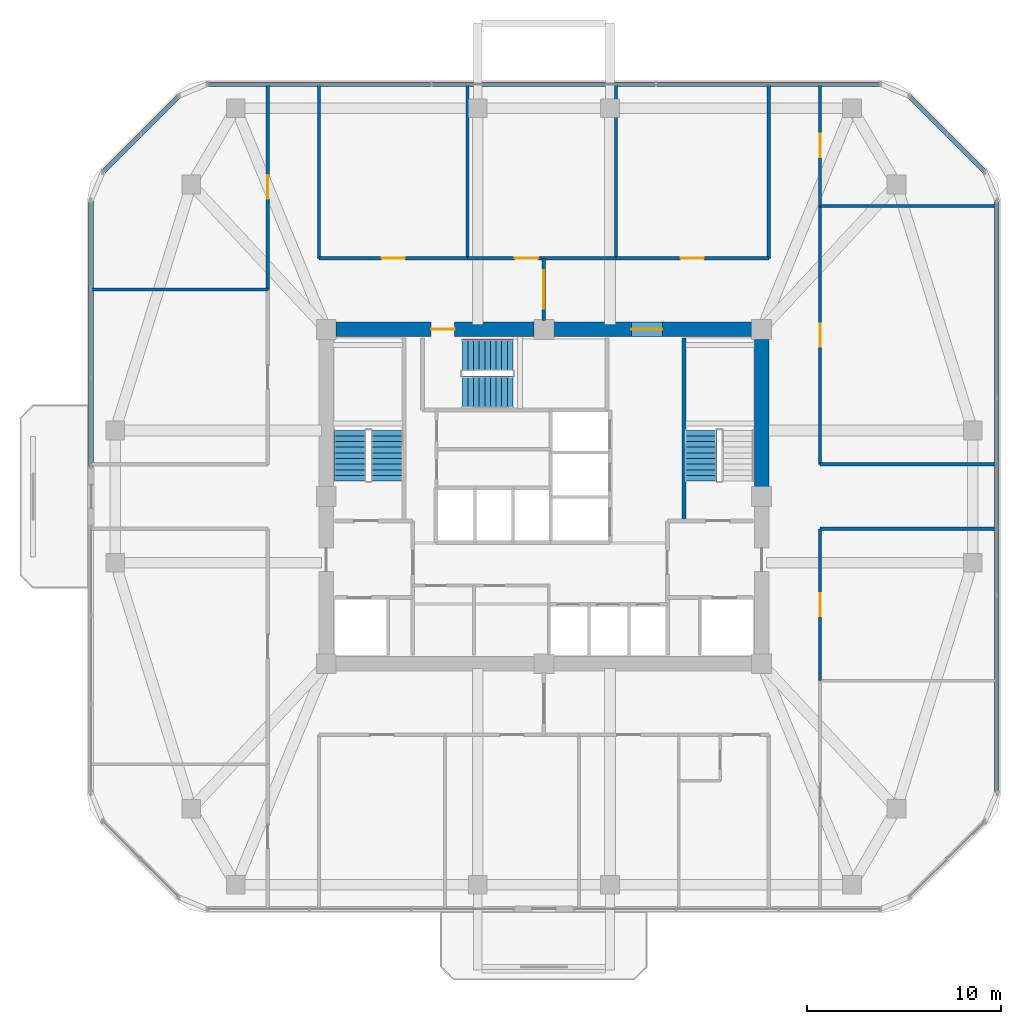
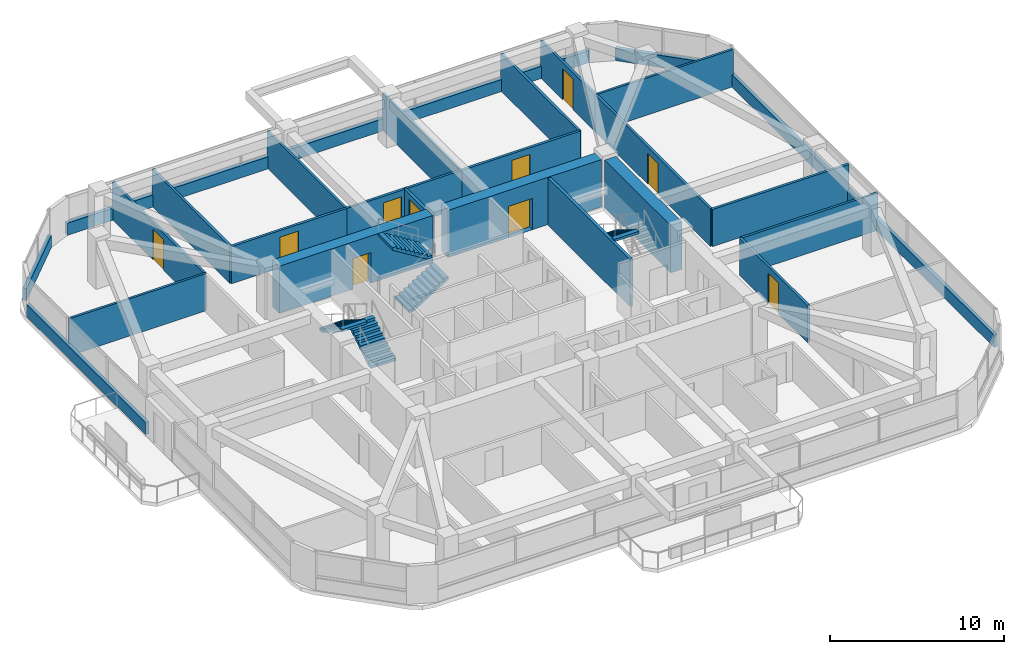
# One storey, part 9 of 12: 25 walls, 10 doors, 5 stair flights, 10 openings, 3 elements without a shape of their own.
"""IFC4 building model written with IfcOpenShell, lengths in metres."""

from ifc_helpers import new_model, si_unit, derived_unit, direction, frame, frame_2d, origin, place, context, subcontext, project, spatial, polyline, rectangle, outline, extrude, material, layer, layer_set, type_object, element, fill, aggregate, save


model = new_model("IFC4")

# Units and contexts
model_context = context("Model", 3, precision=1e-05, world=origin(), true_north=direction((0.0, 1.0)))
body_context = subcontext(model_context, "Body", "Model", "MODEL_VIEW")
ifc_project = project(units=[si_unit("LENGTHUNIT", "METRE"), si_unit("AREAUNIT", "SQUARE_METRE"), si_unit("VOLUMEUNIT", "CUBIC_METRE"), si_unit("PLANEANGLEUNIT", "RADIAN"), si_unit("MASSUNIT", "GRAM", prefix="KILO"), derived_unit("THERMALTRANSMITTANCEUNIT", [(si_unit("POWERUNIT", "WATT"), 1), (si_unit("LENGTHUNIT", "METRE"), -2), (si_unit("THERMODYNAMICTEMPERATUREUNIT", "KELVIN"), -1)])], contexts=[model_context])

# Site, building, storey
site_placement = place(None, origin())
site = spatial("IfcSite", under=ifc_project, at=site_placement, CompositionType="ELEMENT")
building_placement = place(site_placement, origin())
building = spatial("IfcBuilding", under=site, at=building_placement, Name="Koralith Skygarden Medical Center", CompositionType="ELEMENT")
storey_placement = place(building_placement, frame((0.0, 0.0, 163.6201171875)))
storey = spatial("IfcBuildingStorey", under=building, at=storey_placement, Name="L42", CompositionType="ELEMENT", Elevation=163.6201171875)

# Walls
ifc_material_1 = material(Name="Gypsum Board Partition")
ifc_layer_1 = layer(ifc_material_1, 0.14990234375)
ifc_layer_set_1 = layer_set([ifc_layer_1], Name="Gypsum Board Partition")
wall_type_1 = type_object("IfcWallType", Name="Clinical Acoustic Partition 150", PredefinedType="PARTITIONING", material=ifc_layer_set_1)
for number, where, z_axis, x_axis, name in (
    (1, (33.070068359375, 38.159912109375, 0.0), (0.0, 0.0, 1.0), (0.0, 1.0, 0.0), "L42 Clinical Acoustic Partition 150 W-PART-L42-N-01"),
    (2, (40.698974609375, 38.159912109375, 0.0), (0.0, 0.0, 1.0), (0.0, 1.0, 0.0), "L42 Clinical Acoustic Partition 150 W-PART-L42-N-02"),
):
    element("IfcWall", number, at=place(storey_placement, frame(where, z_axis=z_axis, x_axis=x_axis)), inside=storey, type_object=wall_type_1, Name=name, PredefinedType="PARTITIONING", context=body_context, shape_type="SweptSolid", body=[
        extrude(rectangle(XDim=8.940185546875, YDim=0.14990234375, at=frame_2d((4.47021484375, 0.0))), origin(), (0.0, 0.0, 1.0), 2.60986328125),
    ])
for number, where, z_axis, x_axis, name in (
    (3, (22.7900390625, 36.548095703125, 0.0), (0.0, 0.0, 1.0), (-1.0, 0.0, 0.0), "L42 Clinical Acoustic Partition 150 W-PART-L42-WN-01"),
    (4, (51.2099609375, 40.846923828125, 0.0), (0.0, 0.0, 1.0), (1.0, 0.0, 0.0), "L42 Clinical Acoustic Partition 150 W-PART-L42-EN-01"),
):
    element("IfcWall", number, at=place(storey_placement, frame(where, z_axis=z_axis, x_axis=x_axis)), inside=storey, type_object=wall_type_1, Name=name, PredefinedType="PARTITIONING", context=body_context, shape_type="SweptSolid", body=[
        extrude(rectangle(XDim=9.073974609375, YDim=0.14990234375, at=frame_2d((4.537109375, 0.0))), origin(), (0.0, 0.0, 1.0), 2.60986328125),
    ])
ifc_layer_2 = layer(ifc_material_1, 0.1650390625)
ifc_layer_set_2 = layer_set([ifc_layer_2], Name="Gypsum Board Partition")
wall_type_2 = type_object("IfcWallType", Name="Clinical Corridor Partition 165", PredefinedType="PARTITIONING", material=ifc_layer_set_2)
for number, where, z_axis, x_axis, name in (
    (5, (25.429931640625, 38.159912109375, 0.0), (0.0, 0.0, 1.0), (0.0, 1.0, 0.0), "L42 Clinical Corridor Partition 165 W-HCOR-L42-NW"),
    (6, (48.570068359375, 38.159912109375, 0.0), (0.0, 0.0, 1.0), (0.0, 1.0, 0.0), "L42 Clinical Corridor Partition 165 W-HCOR-L42-NE"),
):
    element("IfcWall", number, at=place(storey_placement, frame(where, z_axis=z_axis, x_axis=x_axis)), inside=storey, type_object=wall_type_2, Name=name, PredefinedType="PARTITIONING", context=body_context, shape_type="SweptSolid", body=[
        extrude(rectangle(XDim=8.940185546875, YDim=0.1650390625, at=frame_2d((4.47021484375, 0.0))), origin(), (0.0, 0.0, 1.0), 2.60986328125),
    ])
for number, where, z_axis, x_axis, name in (
    (7, (51.2099609375, 24.239990234375, 0.0), (0.0, 0.0, 1.0), (1.0, 0.0, 0.0), "L42 Clinical Corridor Partition 165 W-HCOR-L42-EWS-E"),
    (8, (51.2099609375, 27.56005859375, 0.0), (0.0, 0.0, 1.0), (1.0, 0.0, 0.0), "L42 Clinical Corridor Partition 165 W-HCOR-L42-EWN-E"),
):
    element("IfcWall", number, at=place(storey_placement, frame(where, z_axis=z_axis, x_axis=x_axis)), inside=storey, type_object=wall_type_2, Name=name, PredefinedType="PARTITIONING", context=body_context, shape_type="SweptSolid", body=[
        extrude(rectangle(XDim=9.073974609375, YDim=0.1650390625, at=frame_2d((4.537109375, 0.0))), origin(), (0.0, 0.0, 1.0), 2.60986328125),
    ])

# Wall, opening, door
wall_1_placement = place(storey_placement, frame((25.429931640625, 38.159912109375, 0.0), z_axis=(0.0, 0.0, 1.0), x_axis=(1.0, 0.0, 0.0)))
wall_1 = element("IfcWall", 9, at=wall_1_placement, inside=storey, type_object=wall_type_2, Name="L42 Clinical Corridor Partition 165 W-CORR-L42-N-01", PredefinedType="PARTITIONING", context=body_context, shape_type="SweptSolid", body=[
    extrude(rectangle(XDim=7.64013671875, YDim=0.1650390625, at=frame_2d((3.820068359375, 0.0))), origin(), (0.0, 0.0, 1.0), 2.60986328125),
])
opening_1_placement = place(wall_1_placement, frame((3.219970703125, 0.0, 0.0)))
opening_1 = element("IfcOpeningElement", 10, at=opening_1_placement, cuts=wall_1, Name="Opening D-CLN", PredefinedType="OPENING", context=body_context, shape_type="SweptSolid", body=[
    extrude(rectangle(XDim=1.199951171875, YDim=2.14990234375, at=frame_2d((0.60009765625, 1.074951171875))), frame((0.0, 0.092529296875, 0.0), z_axis=(0.0, -1.0, 0.0), x_axis=(1.0, 0.0, 0.0)), (0.0, 0.0, 1.0), 0.18505859375),
])
ifc_material_2 = material(Name="Aluminium 6063-T6", Category="aluminium")
door_type_1 = type_object("IfcDoorType", Name="Clinical Corridor Door D-CLN 1200", OperationType="NOTDEFINED", PredefinedType="DOOR", material=ifc_material_2)
door_1_placement = place(opening_1_placement, origin())
door_1 = element("IfcDoor", 11, at=door_1_placement, inside=storey, type_object=door_type_1, Name="L42 Maternal Fetal Family Lounge 01 Door", OperationType="SINGLE_SWING_RIGHT", OverallHeight=2.14990234375, OverallWidth=1.199951171875, PredefinedType="DOOR", context=body_context, shape_type="SweptSolid", body=[
    extrude(rectangle(XDim=1.199951171875, YDim=2.14990234375, at=frame_2d((0.60009765625, 1.074951171875))), frame((0.0, 0.02490234375, 0.0), z_axis=(0.0, -1.0, 0.0), x_axis=(1.0, 0.0, 0.0)), (0.0, 0.0, 1.0), 0.050048828125),
])
fill(opening_1, door_1)

wall_2_placement = place(storey_placement, frame((33.070068359375, 38.159912109375, 0.0), z_axis=(0.0, 0.0, 1.0), x_axis=(1.0, 0.0, 0.0)))
wall_2 = element("IfcWall", 12, at=wall_2_placement, inside=storey, type_object=wall_type_2, Name="L42 Clinical Corridor Partition 165 W-CORR-L42-N-02", PredefinedType="PARTITIONING", context=body_context, shape_type="SweptSolid", body=[
    extrude(rectangle(XDim=7.62890625, YDim=0.1650390625, at=frame_2d((3.814453125, 0.0))), origin(), (0.0, 0.0, 1.0), 2.60986328125),
])
opening_2_placement = place(wall_2_placement, frame((2.430908203125, 0.0, 0.0)))
opening_2 = element("IfcOpeningElement", 13, at=opening_2_placement, cuts=wall_2, Name="Opening D-CLN", PredefinedType="OPENING", context=body_context, shape_type="SweptSolid", body=[
    extrude(rectangle(XDim=1.199951171875, YDim=2.14990234375, at=frame_2d((0.60009765625, 1.074951171875))), frame((0.0, 0.092529296875, 0.0), z_axis=(0.0, -1.0, 0.0), x_axis=(1.0, 0.0, 0.0)), (0.0, 0.0, 1.0), 0.18505859375),
])
door_2_placement = place(opening_2_placement, origin())
door_2 = element("IfcDoor", 14, at=door_2_placement, inside=storey, type_object=door_type_1, Name="L42 Perinatal Ultrasound Exam Room 02 Door", OperationType="SINGLE_SWING_LEFT", OverallHeight=2.14990234375, OverallWidth=1.199951171875, PredefinedType="DOOR", context=body_context, shape_type="SweptSolid", body=[
    extrude(rectangle(XDim=1.199951171875, YDim=2.14990234375, at=frame_2d((0.60009765625, 1.074951171875))), frame((0.0, 0.02490234375, 0.0), z_axis=(0.0, -1.0, 0.0), x_axis=(1.0, 0.0, 0.0)), (0.0, 0.0, 1.0), 0.050048828125),
])
fill(opening_2, door_2)

wall_3_placement = place(storey_placement, frame((40.698974609375, 38.159912109375, 0.0), z_axis=(0.0, 0.0, 1.0), x_axis=(1.0, 0.0, 0.0)))
wall_3 = element("IfcWall", 15, at=wall_3_placement, inside=storey, type_object=wall_type_2, Name="L42 Clinical Corridor Partition 165 W-CORR-L42-N-03", PredefinedType="PARTITIONING", context=body_context, shape_type="SweptSolid", body=[
    extrude(rectangle(XDim=7.87109375, YDim=0.1650390625, at=frame_2d((3.935546875, 0.0))), origin(), (0.0, 0.0, 1.0), 2.60986328125),
])
opening_3_placement = place(wall_3_placement, frame((3.3359375, 0.0, 0.0)))
opening_3 = element("IfcOpeningElement", 16, at=opening_3_placement, cuts=wall_3, Name="Opening D-CLN", PredefinedType="OPENING", context=body_context, shape_type="SweptSolid", body=[
    extrude(rectangle(XDim=1.199951171875, YDim=2.14990234375, at=frame_2d((0.60009765625, 1.074951171875))), frame((0.0, 0.092529296875, 0.0), z_axis=(0.0, -1.0, 0.0), x_axis=(1.0, 0.0, 0.0)), (0.0, 0.0, 1.0), 0.18505859375),
])
door_3_placement = place(opening_3_placement, origin())
door_3 = element("IfcDoor", 17, at=door_3_placement, inside=storey, type_object=door_type_1, Name="L42 Genetic Counseling Office 03 Door", OperationType="SINGLE_SWING_RIGHT", OverallHeight=2.14990234375, OverallWidth=1.199951171875, PredefinedType="DOOR", context=body_context, shape_type="SweptSolid", body=[
    extrude(rectangle(XDim=1.199951171875, YDim=2.14990234375, at=frame_2d((0.60009765625, 1.074951171875))), frame((0.0, 0.02490234375, 0.0), z_axis=(0.0, -1.0, 0.0), x_axis=(1.0, 0.0, 0.0)), (0.0, 0.0, 1.0), 0.050048828125),
])
fill(opening_3, door_3)

wall_4_placement = place(storey_placement, frame((22.7900390625, 36.548095703125, 0.0), z_axis=(0.0, 0.0, 1.0), x_axis=(0.0, 1.0, 0.0)))
wall_4 = element("IfcWall", 18, at=wall_4_placement, inside=storey, type_object=wall_type_2, Name="L42 Clinical Corridor Partition 165 W-CORR-L42-WN-02", PredefinedType="PARTITIONING", context=body_context, shape_type="SweptSolid", body=[
    extrude(rectangle(XDim=10.552001953125, YDim=0.1650390625, at=frame_2d((5.27587890625, 0.0))), origin(), (0.0, 0.0, 1.0), 2.60986328125),
])
opening_4_placement = place(wall_4_placement, frame((4.676025390625, 0.0, 0.0)))
opening_4 = element("IfcOpeningElement", 19, at=opening_4_placement, cuts=wall_4, Name="Opening D-CLN", PredefinedType="OPENING", context=body_context, shape_type="SweptSolid", body=[
    extrude(rectangle(XDim=1.199951171875, YDim=2.14990234375, at=frame_2d((0.60009765625, 1.074951171875))), frame((0.0, 0.092529296875, 0.0), z_axis=(0.0, -1.0, 0.0), x_axis=(1.0, 0.0, 0.0)), (0.0, 0.0, 1.0), 0.18505859375),
])
door_4_placement = place(opening_4_placement, frame((1.199951171875, 0.0, 0.0), z_axis=(0.0, 0.0, 1.0), x_axis=(-1.0, 0.0, 0.0)))
door_4 = element("IfcDoor", 20, at=door_4_placement, inside=storey, type_object=door_type_1, Name="L42 Maternal Fetal Family Lounge 11 Door", OperationType="SINGLE_SWING_RIGHT", OverallHeight=2.14990234375, OverallWidth=1.199951171875, PredefinedType="DOOR", context=body_context, shape_type="SweptSolid", body=[
    extrude(rectangle(XDim=1.199951171875, YDim=2.14990234375, at=frame_2d((0.60009765625, 1.074951171875))), frame((0.0, 0.02490234375, 0.0), z_axis=(0.0, -1.0, 0.0), x_axis=(1.0, 0.0, 0.0)), (0.0, 0.0, 1.0), 0.050048828125),
])
fill(opening_4, door_4)

wall_5_placement = place(storey_placement, frame((51.2099609375, 16.424072265625, 0.0), z_axis=(0.0, 0.0, 1.0), x_axis=(0.0, 1.0, 0.0)))
wall_5 = element("IfcWall", 21, at=wall_5_placement, inside=storey, type_object=wall_type_2, Name="L42 Clinical Corridor Partition 165 W-CORR-L42-ES-02", PredefinedType="PARTITIONING", context=body_context, shape_type="SweptSolid", body=[
    extrude(rectangle(XDim=7.81591796875, YDim=0.1650390625, at=frame_2d((3.907958984375, 0.0))), origin(), (0.0, 0.0, 1.0), 2.60986328125),
])
opening_5_placement = place(wall_5_placement, frame((3.30810546875, 0.0, 0.0)))
opening_5 = element("IfcOpeningElement", 22, at=opening_5_placement, cuts=wall_5, Name="Opening D-CLN", PredefinedType="OPENING", context=body_context, shape_type="SweptSolid", body=[
    extrude(rectangle(XDim=1.199951171875, YDim=2.14990234375, at=frame_2d((0.60009765625, 1.074951171875))), frame((0.0, 0.092529296875, 0.0), z_axis=(0.0, -1.0, 0.0), x_axis=(1.0, 0.0, 0.0)), (0.0, 0.0, 1.0), 0.18505859375),
])
door_5_placement = place(opening_5_placement, origin())
door_5 = element("IfcDoor", 23, at=door_5_placement, inside=storey, type_object=door_type_1, Name="L42 Genetic Counseling Office 13 Door", OperationType="SINGLE_SWING_RIGHT", OverallHeight=2.14990234375, OverallWidth=1.199951171875, PredefinedType="DOOR", context=body_context, shape_type="SweptSolid", body=[
    extrude(rectangle(XDim=1.199951171875, YDim=2.14990234375, at=frame_2d((0.60009765625, 1.074951171875))), frame((0.0, 0.02490234375, 0.0), z_axis=(0.0, -1.0, 0.0), x_axis=(1.0, 0.0, 0.0)), (0.0, 0.0, 1.0), 0.050048828125),
])
fill(opening_5, door_5)

wall_6_placement = place(storey_placement, frame((51.2099609375, 27.56005859375, 0.0), z_axis=(0.0, 0.0, 1.0), x_axis=(0.0, 1.0, 0.0)))
wall_6 = element("IfcWall", 24, at=wall_6_placement, inside=storey, type_object=wall_type_2, Name="L42 Clinical Corridor Partition 165 W-CORR-L42-EN-01", PredefinedType="PARTITIONING", context=body_context, shape_type="SweptSolid", body=[
    extrude(rectangle(XDim=13.286865234375, YDim=0.1650390625, at=frame_2d((6.6435546875, 0.0))), origin(), (0.0, 0.0, 1.0), 2.60986328125),
])
opening_6_placement = place(wall_6_placement, frame((6.0439453125, 0.0, 0.0)))
opening_6 = element("IfcOpeningElement", 25, at=opening_6_placement, cuts=wall_6, Name="Opening D-CLN", PredefinedType="OPENING", context=body_context, shape_type="SweptSolid", body=[
    extrude(rectangle(XDim=1.199951171875, YDim=2.14990234375, at=frame_2d((0.60009765625, 1.074951171875))), frame((0.0, 0.092529296875, 0.0), z_axis=(0.0, -1.0, 0.0), x_axis=(1.0, 0.0, 0.0)), (0.0, 0.0, 1.0), 0.18505859375),
])
door_6_placement = place(opening_6_placement, origin())
door_6 = element("IfcDoor", 26, at=door_6_placement, inside=storey, type_object=door_type_1, Name="L42 Clean Nursery Supply Store 14 Door", OperationType="SINGLE_SWING_LEFT", OverallHeight=2.14990234375, OverallWidth=1.199951171875, PredefinedType="DOOR", context=body_context, shape_type="SweptSolid", body=[
    extrude(rectangle(XDim=1.199951171875, YDim=2.14990234375, at=frame_2d((0.60009765625, 1.074951171875))), frame((0.0, 0.02490234375, 0.0), z_axis=(0.0, -1.0, 0.0), x_axis=(1.0, 0.0, 0.0)), (0.0, 0.0, 1.0), 0.050048828125),
])
fill(opening_6, door_6)

wall_7_placement = place(storey_placement, frame((51.2099609375, 40.846923828125, 0.0), z_axis=(0.0, 0.0, 1.0), x_axis=(0.0, 1.0, 0.0)))
wall_7 = element("IfcWall", 27, at=wall_7_placement, inside=storey, type_object=wall_type_2, Name="L42 Clinical Corridor Partition 165 W-CORR-L42-EN-02", PredefinedType="PARTITIONING", context=body_context, shape_type="SweptSolid", body=[
    extrude(rectangle(XDim=6.253173828125, YDim=0.1650390625, at=frame_2d((3.12646484375, 0.0))), origin(), (0.0, 0.0, 1.0), 2.60986328125),
])
opening_7_placement = place(wall_7_placement, frame((2.52587890625, 0.0, 0.0)))
opening_7 = element("IfcOpeningElement", 28, at=opening_7_placement, cuts=wall_7, Name="Opening D-CLN", PredefinedType="OPENING", context=body_context, shape_type="SweptSolid", body=[
    extrude(rectangle(XDim=1.199951171875, YDim=2.14990234375, at=frame_2d((0.60009765625, 1.074951171875))), frame((0.0, 0.092529296875, 0.0), z_axis=(0.0, -1.0, 0.0), x_axis=(1.0, 0.0, 0.0)), (0.0, 0.0, 1.0), 0.18505859375),
])
door_7_placement = place(opening_7_placement, origin())
door_7 = element("IfcDoor", 29, at=door_7_placement, inside=storey, type_object=door_type_1, Name="L42 Maternal Fetal Family Lounge 15 Door", OperationType="SINGLE_SWING_RIGHT", OverallHeight=2.14990234375, OverallWidth=1.199951171875, PredefinedType="DOOR", context=body_context, shape_type="SweptSolid", body=[
    extrude(rectangle(XDim=1.199951171875, YDim=2.14990234375, at=frame_2d((0.60009765625, 1.074951171875))), frame((0.0, 0.02490234375, 0.0), z_axis=(0.0, -1.0, 0.0), x_axis=(1.0, 0.0, 0.0)), (0.0, 0.0, 1.0), 0.050048828125),
])
fill(opening_7, door_7)

ifc_layer_3 = layer(ifc_material_1, 0.179931640625)
ifc_layer_set_3 = layer_set([ifc_layer_3], Name="Gypsum Board Partition")
wall_type_3 = type_object("IfcWallType", Name="Group I-2 Smoke Barrier Wall 180", PredefinedType="PARTITIONING", material=ifc_layer_set_3)
wall_8_placement = place(storey_placement, frame((37.0, 34.949951171875, 0.0), z_axis=(0.0, 0.0, 1.0), x_axis=(0.0, 1.0, 0.0)))
wall_8 = element("IfcWall", 30, at=wall_8_placement, inside=storey, type_object=wall_type_3, Name="L42 Group I-2 Smoke Barrier Wall 180 W-SMK-L42-N", PredefinedType="PARTITIONING", context=body_context, shape_type="SweptSolid", body=[
    extrude(rectangle(XDim=3.2099609375, YDim=0.179931640625, at=frame_2d((1.60498046875, 0.0))), origin(), (0.0, 0.0, 1.0), 2.60986328125),
])
opening_8_placement = place(wall_8_placement, frame((0.60498046875, 0.0, 0.0)))
opening_8 = element("IfcOpeningElement", 31, at=opening_8_placement, cuts=wall_8, Name="Opening D-SMK", PredefinedType="OPENING", context=body_context, shape_type="SweptSolid", body=[
    extrude(rectangle(XDim=2.0, YDim=2.199951171875, at=frame_2d((1.0, 1.10009765625))), frame((0.0, 0.099853515625, 0.0), z_axis=(0.0, -1.0, 0.0), x_axis=(1.0, 0.0, 0.0)), (0.0, 0.0, 1.0), 0.199951171875),
])
ifc_material_3 = material(Name="Steel ASTM A500 Grade C", Category="steel")
door_type_2 = type_object("IfcDoorType", Name="Cross-Corridor Double Smoke Door FD60S 2000", OperationType="NOTDEFINED", PredefinedType="DOOR", material=ifc_material_3)
door_8_placement = place(opening_8_placement, origin())
door_8 = element("IfcDoor", 32, at=door_8_placement, inside=storey, type_object=door_type_2, Name="L42 N Smoke Compartment Cross-Corridor Door", OperationType="DOUBLE_DOOR_SINGLE_SWING", OverallHeight=2.199951171875, OverallWidth=2.0, PredefinedType="DOOR", context=body_context, shape_type="SweptSolid", body=[
    extrude(rectangle(XDim=2.0, YDim=2.199951171875, at=frame_2d((1.0, 1.10009765625))), frame((0.0, 0.02490234375, 0.0), z_axis=(0.0, -1.0, 0.0), x_axis=(1.0, 0.0, 0.0)), (0.0, 0.0, 1.0), 0.050048828125),
])
fill(opening_8, door_8)

# Walls
ifc_material_4 = material(Name="Warm Oolitic Limestone Cladding", Category="masonry")
ifc_layer_4 = layer(ifc_material_4, 0.239990234375)
ifc_layer_set_4 = layer_set([ifc_layer_4], Name="Warm Oolitic Limestone Cladding")
wall_type_4 = type_object("IfcWallType", Name="Limestone Spandrel Sill Backup Wall 240", PredefinedType="SOLIDWALL", material=ifc_layer_set_4)
wall_9_placement = place(storey_placement, frame((60.303955078125, 10.655029296875, 0.0), z_axis=(0.0, 0.0, 1.0), x_axis=(0.0, 1.0, 0.0)))
element("IfcWall", 33, at=wall_9_placement, inside=storey, type_object=wall_type_4, Name="L42 Sill Spandrel E", PredefinedType="SOLIDWALL", context=body_context, shape_type="SweptSolid", body=[
    extrude(rectangle(XDim=30.489990234375, YDim=0.239990234375, at=frame_2d((15.2451171875, 0.0))), origin(), (0.0, 0.0, 1.0), 0.849853515625),
])
wall_10_placement = place(storey_placement, frame((59.702880859375, 42.595947265625, 0.0), z_axis=(0.0, 0.0, 1.0), x_axis=(-0.707084777957, 0.707128783731, 0.0)))
element("IfcWall", 34, at=wall_10_placement, inside=storey, type_object=wall_type_4, Name="L42 Sill Spandrel NE", PredefinedType="SOLIDWALL", context=body_context, shape_type="SweptSolid", body=[
    extrude(rectangle(XDim=5.5478515625, YDim=0.239990234375, at=frame_2d((2.77392578125, 0.0))), origin(), (0.0, 0.0, 1.0), 0.849853515625),
])
wall_11_placement = place(storey_placement, frame((54.3291015625, 47.1201171875, 0.0), z_axis=(0.0, 0.0, 1.0), x_axis=(-1.0, 0.0, 0.0)))
element("IfcWall", 35, at=wall_11_placement, inside=storey, type_object=wall_type_4, Name="L42 Sill Spandrel N", PredefinedType="SOLIDWALL", context=body_context, shape_type="SweptSolid", body=[
    extrude(rectangle(XDim=34.658203125, YDim=0.239990234375, at=frame_2d((17.3291015625, 0.0))), origin(), (0.0, 0.0, 1.0), 0.849853515625),
])
wall_12_placement = place(storey_placement, frame((18.219970703125, 46.51904296875, 0.0), z_axis=(0.0, 0.0, 1.0), x_axis=(-0.707084777957, -0.707128783731, 0.0)))
element("IfcWall", 36, at=wall_12_placement, inside=storey, type_object=wall_type_4, Name="L42 Sill Spandrel NW", PredefinedType="SOLIDWALL", context=body_context, shape_type="SweptSolid", body=[
    extrude(rectangle(XDim=5.5478515625, YDim=0.239990234375, at=frame_2d((2.77392578125, 0.0))), origin(), (0.0, 0.0, 1.0), 0.849853515625),
])
wall_13_placement = place(storey_placement, frame((13.696044921875, 41.14501953125, 0.0), z_axis=(0.0, 0.0, 1.0), x_axis=(0.0, -1.0, 0.0)))
element("IfcWall", 37, at=wall_13_placement, inside=storey, type_object=wall_type_4, Name="L42 Sill Spandrel W-L", PredefinedType="SOLIDWALL", context=body_context, shape_type="SweptSolid", body=[
    extrude(rectangle(XDim=13.705078125, YDim=0.239990234375, at=frame_2d((6.8525390625, 0.0))), origin(), (0.0, 0.0, 1.0), 0.849853515625),
])
ifc_material_5 = material(Name="Concrete C70/85", Category="concrete")
ifc_layer_5 = layer(ifc_material_5, 0.75)
ifc_layer_set_5 = layer_set([ifc_layer_5], Name="Concrete C70/85")
wall_type_5 = type_object("IfcWallType", Name="Mid Core Shear Wall 750", PredefinedType="SHEAR", material=ifc_layer_set_5)
wall_14_placement = place(storey_placement, frame((48.199951171875, 26.405029296875, 0.0), z_axis=(0.0, 0.0, 1.0), x_axis=(0.0, 1.0, 0.0)))
element("IfcWall", 38, at=wall_14_placement, inside=storey, type_object=wall_type_5, Name="L42 Core Shear Wall Segment 4", PredefinedType="SHEAR", context=body_context, shape_type="SweptSolid", body=[
    extrude(rectangle(XDim=7.590087890625, YDim=0.75, at=frame_2d((3.794921875, 0.0))), origin(), (0.0, 0.0, 1.0), 3.31982421875),
])

# Wall, opening, door
wall_15_placement = place(storey_placement, frame((47.695068359375, 34.5, 0.0), z_axis=(0.0, 0.0, 1.0), x_axis=(-1.0, 0.0, 0.0)))
wall_15 = element("IfcWall", 39, at=wall_15_placement, inside=storey, type_object=wall_type_5, Name="L42 Core Shear Wall Segment 5", PredefinedType="SHEAR", context=body_context, shape_type="SweptSolid", body=[
    extrude(rectangle(XDim=10.190185546875, YDim=0.75, at=frame_2d((5.09521484375, 0.0))), origin(), (0.0, 0.0, 1.0), 3.31982421875),
])
opening_9_placement = place(wall_15_placement, frame((4.594970703125, 0.0, 0.0)))
opening_9 = element("IfcOpeningElement", 40, at=opening_9_placement, cuts=wall_15, Name="Opening D-DBL", PredefinedType="OPENING", context=body_context, shape_type="SweptSolid", body=[
    extrude(rectangle(XDim=1.60009765625, YDim=2.199951171875, at=frame_2d((0.800048828125, 1.10009765625))), frame((0.0, 0.385009765625, 0.0), z_axis=(0.0, -1.0, 0.0), x_axis=(1.0, 0.0, 0.0)), (0.0, 0.0, 1.0), 0.77001953125),
])
door_type_3 = type_object("IfcDoorType", Name="Double Clinical Suite Door D-DBL 1600", OperationType="NOTDEFINED", PredefinedType="DOOR", material=ifc_material_2)
door_9_placement = place(opening_9_placement, frame((1.60009765625, 0.0, 0.0), z_axis=(0.0, 0.0, 1.0), x_axis=(-1.0, 0.0, 0.0)))
door_9 = element("IfcDoor", 41, at=door_9_placement, inside=storey, type_object=door_type_3, Name="L42 North-East Corridor to Elevator Lobby Door", OperationType="DOUBLE_DOOR_SINGLE_SWING", OverallHeight=2.199951171875, OverallWidth=1.60009765625, PredefinedType="DOOR", context=body_context, shape_type="SweptSolid", body=[
    extrude(rectangle(XDim=1.60009765625, YDim=2.199951171875, at=frame_2d((0.800048828125, 1.10009765625))), frame((0.0, 0.02490234375, 0.0), z_axis=(0.0, -1.0, 0.0), x_axis=(1.0, 0.0, 0.0)), (0.0, 0.0, 1.0), 0.050048828125),
])
fill(opening_9, door_9)

wall_16_placement = place(storey_placement, frame((36.4951171875, 34.5, 0.0), z_axis=(0.0, 0.0, 1.0), x_axis=(-1.0, 0.0, 0.0)))
wall_16 = element("IfcWall", 42, at=wall_16_placement, inside=storey, type_object=wall_type_5, Name="L42 Core Shear Wall Segment 6", PredefinedType="SHEAR", context=body_context, shape_type="SweptSolid", body=[
    extrude(rectangle(XDim=10.190185546875, YDim=0.75, at=frame_2d((5.09521484375, 0.0))), origin(), (0.0, 0.0, 1.0), 3.31982421875),
])
opening_10_placement = place(wall_16_placement, frame((4.094970703125, 0.0, 0.0)))
opening_10 = element("IfcOpeningElement", 43, at=opening_10_placement, cuts=wall_16, Name="Opening D-ST60", PredefinedType="OPENING", context=body_context, shape_type="SweptSolid", body=[
    extrude(rectangle(XDim=1.199951171875, YDim=2.14990234375, at=frame_2d((0.60009765625, 1.074951171875))), frame((0.0, 0.385009765625, 0.0), z_axis=(0.0, -1.0, 0.0), x_axis=(1.0, 0.0, 0.0)), (0.0, 0.0, 1.0), 0.77001953125),
])
door_type_4 = type_object("IfcDoorType", Name="Smokeproof Stair Fire Door FD60S 1200", OperationType="NOTDEFINED", PredefinedType="DOOR", material=ifc_material_3)
door_10_placement = place(opening_10_placement, frame((1.199951171875, 0.0, 0.0), z_axis=(0.0, 0.0, 1.0), x_axis=(-1.0, 0.0, 0.0)))
door_10 = element("IfcDoor", 44, at=door_10_placement, inside=storey, type_object=door_type_4, Name="L42 Exit Stair ST3 Fire Door", OperationType="SINGLE_SWING_LEFT", OverallHeight=2.14990234375, OverallWidth=1.199951171875, PredefinedType="DOOR", context=body_context, shape_type="SweptSolid", body=[
    extrude(rectangle(XDim=1.199951171875, YDim=2.14990234375, at=frame_2d((0.60009765625, 1.074951171875))), frame((0.0, 0.02490234375, 0.0), z_axis=(0.0, -1.0, 0.0), x_axis=(1.0, 0.0, 0.0)), (0.0, 0.0, 1.0), 0.050048828125),
])
fill(opening_10, door_10)

# Wall
ifc_material_6 = material(Name="Concrete C45/55", Category="concrete")
ifc_layer_6 = layer(ifc_material_6, 0.199951171875)
ifc_layer_set_6 = layer_set([ifc_layer_6], Name="Concrete C45/55")
wall_type_6 = type_object("IfcWallType", Name="Structural Stair Shaft Wall 200", PredefinedType="SHEAR", material=ifc_layer_set_6)
wall_17_placement = place(storey_placement, frame((44.199951171875, 24.64990234375, 0.0), z_axis=(0.0, 0.0, 1.0), x_axis=(0.0, 1.0, 0.0)))
element("IfcWall", 45, at=wall_17_placement, inside=storey, type_object=wall_type_6, Name="L42 Structural Stair Shaft Wall 200 W-CORE-L42-ST2-W", PredefinedType="SHEAR", context=body_context, shape_type="SweptSolid", body=[
    extrude(rectangle(XDim=9.400146484375, YDim=0.199951171875, at=frame_2d((4.7001953125, 0.0))), origin(), (0.0, 0.0, 1.0), 3.31982421875),
])

# Stair, stair flights
stair_type = type_object("IfcStairType", Name="Core Exit Dogleg Concrete Stair", PredefinedType="HALF_TURN_STAIR", material=ifc_material_6)
stair_1_placement = place(storey_placement, origin())
stair_1 = element("IfcStair", 46, at=stair_1_placement, inside=storey, type_object=stair_type, Name="L42 Smokeproof Exit Stair ST1", PredefinedType="HALF_TURN_STAIR")
stair_flight_type = type_object("IfcStairFlightType", Name="Core Exit Concrete Stair Flight 1650", PredefinedType="STRAIGHT", material=ifc_material_6)
stair_flight_1_placement = place(storey_placement, frame((28.925048828125, 26.699951171875, 0.0), z_axis=(0.0, 0.0, 1.0), x_axis=(0.0, 1.0, 0.0)))
stair_flight_1 = element("IfcStairFlight", 47, at=stair_flight_1_placement, type_object=stair_flight_type, Name="ST1 flight 1", NumberOfRisers=10, NumberOfTreads=9, PredefinedType="STRAIGHT", RiserHeight=0.18, TreadLength=0.29, context=body_context, shape_type="SweptSolid", body=[
    extrude(outline(polyline([(0.0, 0.0), (0.0, 0.179931640625), (0.2900390625, 0.179931640625), (0.2900390625, 0.360107421875), (0.580078125, 0.360107421875), (0.580078125, 0.5400390625), (0.8701171875, 0.5400390625), (0.8701171875, 0.719970703125), (1.159912109375, 0.719970703125), (1.159912109375, 0.89990234375), (1.449951171875, 0.89990234375), (1.449951171875, 1.080078125), (1.739990234375, 1.080078125), (1.739990234375, 1.260009765625), (2.030029296875, 1.260009765625), (2.030029296875, 1.43994140625), (2.320068359375, 1.43994140625), (2.320068359375, 1.6201171875), (2.610107421875, 1.6201171875), (2.610107421875, 1.800048828125), (2.610107421875, 1.443603515625), (0.2841796875, 0.0), (0.0, 0.0)])), frame((0.0, 0.824951171875, 0.0), z_axis=(0.0, -1.0, 0.0), x_axis=(1.0, 0.0, 0.0)), (0.0, 0.0, 1.0), 1.64990234375),
])
stair_flight_2_placement = place(storey_placement, frame((27.02490234375, 29.31005859375, 1.7998046875), z_axis=(0.0, 0.0, 1.0), x_axis=(0.0, -1.0, 0.0)))
stair_flight_2 = element("IfcStairFlight", 48, at=stair_flight_2_placement, type_object=stair_flight_type, Name="ST1 flight 2", NumberOfRisers=10, NumberOfTreads=9, PredefinedType="STRAIGHT", RiserHeight=0.18, TreadLength=0.29, context=body_context, shape_type="SweptSolid", body=[
    extrude(outline(polyline([(0.0, 0.0), (0.0, 0.179931640625), (0.2900390625, 0.179931640625), (0.2900390625, 0.360107421875), (0.580078125, 0.360107421875), (0.580078125, 0.5400390625), (0.8701171875, 0.5400390625), (0.8701171875, 0.719970703125), (1.159912109375, 0.719970703125), (1.159912109375, 0.89990234375), (1.449951171875, 0.89990234375), (1.449951171875, 1.080078125), (1.739990234375, 1.080078125), (1.739990234375, 1.260009765625), (2.030029296875, 1.260009765625), (2.030029296875, 1.43994140625), (2.320068359375, 1.43994140625), (2.320068359375, 1.6201171875), (2.610107421875, 1.6201171875), (2.610107421875, 1.800048828125), (2.610107421875, 1.443603515625), (0.2841796875, 0.0), (0.0, 0.0)])), frame((0.0, 0.824951171875, 0.0), z_axis=(0.0, -1.0, 0.0), x_axis=(1.0, 0.0, 0.0)), (0.0, 0.0, 1.0), 1.64990234375),
])
aggregate(stair_1, [stair_flight_1, stair_flight_2])

# Stair, stair flight
stair_2_placement = place(storey_placement, origin())
stair_2 = element("IfcStair", 49, at=stair_2_placement, inside=storey, type_object=stair_type, Name="L42 Smokeproof Exit Stair ST2", PredefinedType="HALF_TURN_STAIR")
stair_flight_3_placement = place(storey_placement, frame((45.074951171875, 29.31005859375, 1.7998046875), z_axis=(0.0, 0.0, 1.0), x_axis=(0.0, -1.0, 0.0)))
stair_flight_3 = element("IfcStairFlight", 50, at=stair_flight_3_placement, type_object=stair_flight_type, Name="ST2 flight 2", NumberOfRisers=10, NumberOfTreads=9, PredefinedType="STRAIGHT", RiserHeight=0.18, TreadLength=0.29, context=body_context, shape_type="SweptSolid", body=[
    extrude(outline(polyline([(0.0, 0.0), (0.0, 0.179931640625), (0.2900390625, 0.179931640625), (0.2900390625, 0.360107421875), (0.580078125, 0.360107421875), (0.580078125, 0.5400390625), (0.8701171875, 0.5400390625), (0.8701171875, 0.719970703125), (1.159912109375, 0.719970703125), (1.159912109375, 0.89990234375), (1.449951171875, 0.89990234375), (1.449951171875, 1.080078125), (1.739990234375, 1.080078125), (1.739990234375, 1.260009765625), (2.030029296875, 1.260009765625), (2.030029296875, 1.43994140625), (2.320068359375, 1.43994140625), (2.320068359375, 1.6201171875), (2.610107421875, 1.6201171875), (2.610107421875, 1.800048828125), (2.610107421875, 1.443603515625), (0.2841796875, 0.0), (0.0, 0.0)])), frame((0.0, 0.824951171875, 0.0), z_axis=(0.0, -1.0, 0.0), x_axis=(1.0, 0.0, 0.0)), (0.0, 0.0, 1.0), 1.64990234375),
])
aggregate(stair_2, [stair_flight_3])

# Stair, stair flights
stair_3_placement = place(storey_placement, origin())
stair_3 = element("IfcStair", 51, at=stair_3_placement, inside=storey, type_object=stair_type, Name="L42 Smokeproof Exit Stair ST3", PredefinedType="HALF_TURN_STAIR")
stair_flight_4_placement = place(storey_placement, frame((32.800048828125, 31.27490234375, 0.0), z_axis=(0.0, 0.0, 1.0), x_axis=(1.0, 0.0, 0.0)))
stair_flight_4 = element("IfcStairFlight", 52, at=stair_flight_4_placement, type_object=stair_flight_type, Name="ST3 flight 1", NumberOfRisers=10, NumberOfTreads=9, PredefinedType="STRAIGHT", RiserHeight=0.18, TreadLength=0.29, context=body_context, shape_type="SweptSolid", body=[
    extrude(outline(polyline([(0.0, 0.0), (0.0, 0.179931640625), (0.2900390625, 0.179931640625), (0.2900390625, 0.360107421875), (0.580078125, 0.360107421875), (0.580078125, 0.5400390625), (0.8701171875, 0.5400390625), (0.8701171875, 0.719970703125), (1.159912109375, 0.719970703125), (1.159912109375, 0.89990234375), (1.449951171875, 0.89990234375), (1.449951171875, 1.080078125), (1.739990234375, 1.080078125), (1.739990234375, 1.260009765625), (2.030029296875, 1.260009765625), (2.030029296875, 1.43994140625), (2.320068359375, 1.43994140625), (2.320068359375, 1.6201171875), (2.610107421875, 1.6201171875), (2.610107421875, 1.800048828125), (2.610107421875, 1.443603515625), (0.2841796875, 0.0), (0.0, 0.0)])), frame((0.0, 0.824951171875, 0.0), z_axis=(0.0, -1.0, 0.0), x_axis=(1.0, 0.0, 0.0)), (0.0, 0.0, 1.0), 1.64990234375),
])
stair_flight_5_placement = place(storey_placement, frame((35.409912109375, 33.175048828125, 1.7998046875), z_axis=(0.0, 0.0, 1.0), x_axis=(-1.0, 0.0, 0.0)))
stair_flight_5 = element("IfcStairFlight", 53, at=stair_flight_5_placement, type_object=stair_flight_type, Name="ST3 flight 2", NumberOfRisers=10, NumberOfTreads=9, PredefinedType="STRAIGHT", RiserHeight=0.18, TreadLength=0.29, context=body_context, shape_type="SweptSolid", body=[
    extrude(outline(polyline([(0.0, 0.0), (0.0, 0.179931640625), (0.2900390625, 0.179931640625), (0.2900390625, 0.360107421875), (0.580078125, 0.360107421875), (0.580078125, 0.5400390625), (0.8701171875, 0.5400390625), (0.8701171875, 0.719970703125), (1.159912109375, 0.719970703125), (1.159912109375, 0.89990234375), (1.449951171875, 0.89990234375), (1.449951171875, 1.080078125), (1.739990234375, 1.080078125), (1.739990234375, 1.260009765625), (2.030029296875, 1.260009765625), (2.030029296875, 1.43994140625), (2.320068359375, 1.43994140625), (2.320068359375, 1.6201171875), (2.610107421875, 1.6201171875), (2.610107421875, 1.800048828125), (2.610107421875, 1.443603515625), (0.2841796875, 0.0), (0.0, 0.0)])), frame((0.0, 0.824951171875, 0.0), z_axis=(0.0, -1.0, 0.0), x_axis=(1.0, 0.0, 0.0)), (0.0, 0.0, 1.0), 1.64990234375),
])
aggregate(stair_3, [stair_flight_4, stair_flight_5])

save(model, "model.ifc")
